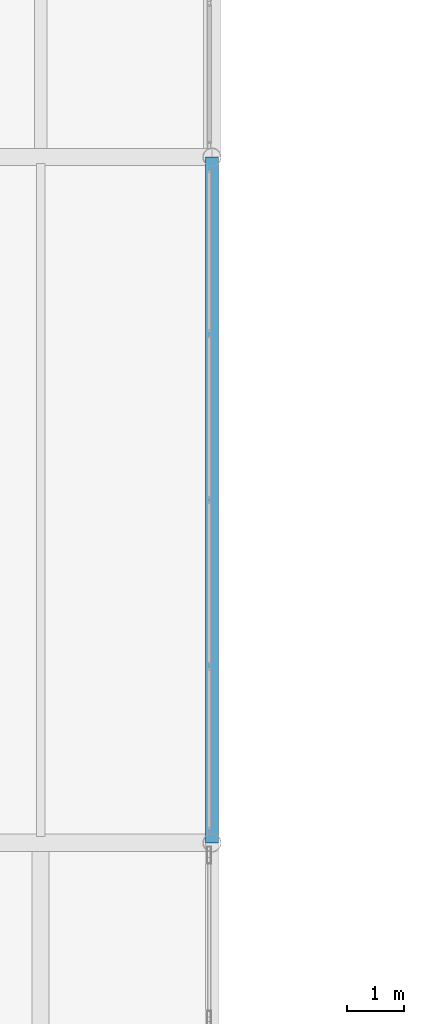
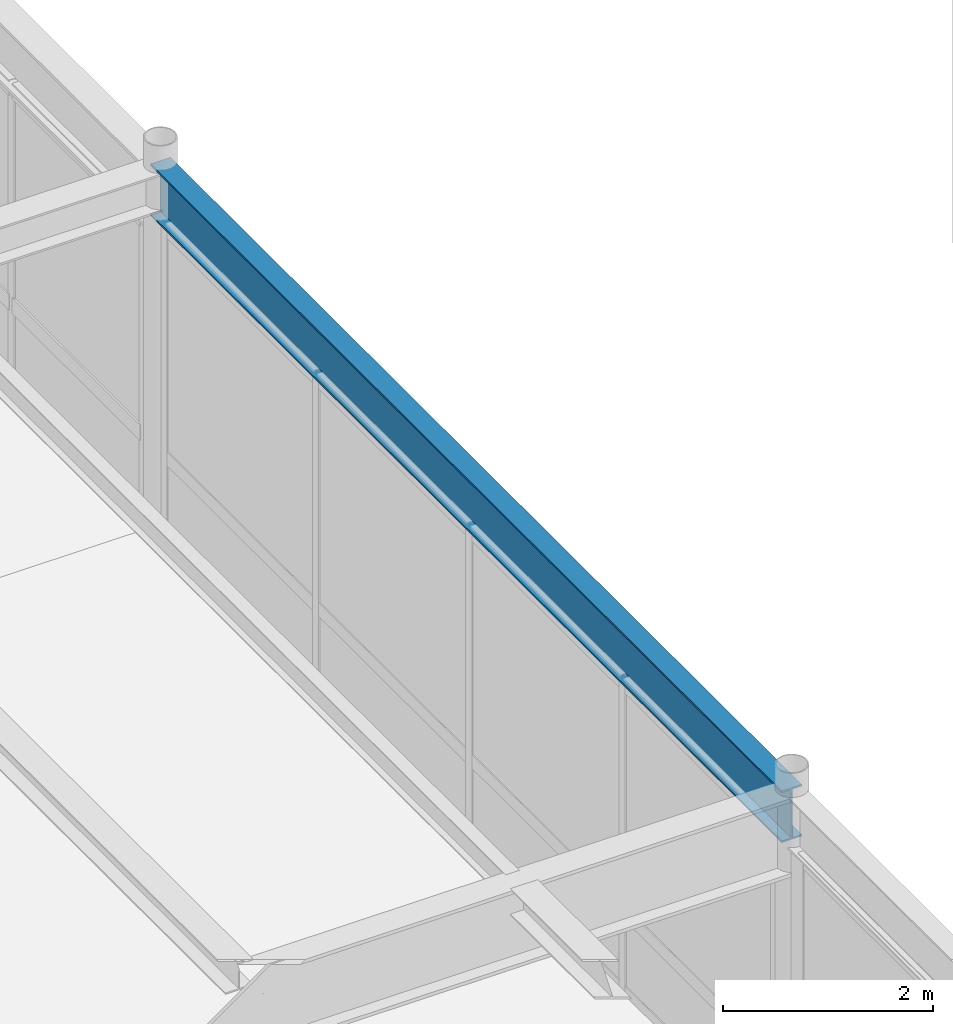
# One storey, part 66 of 127: 1 beam.
"""IFC4 building model written with IfcOpenShell, lengths in metres."""

from ifc_helpers import new_model, si_unit, direction, frame, origin, origin_2d, place, context, subcontext, project, spatial, i_section, extrude, material, material_profile, profile_set, type_object, element, save


model = new_model("IFC4")

# Units and contexts
model_context = context("Model", 3, precision=1e-05, world=origin(), true_north=direction((0.0, 1.0)))
body_context = subcontext(model_context, "Body", "Model", "MODEL_VIEW")
ifc_project = project(units=[si_unit("LENGTHUNIT", "METRE"), si_unit("AREAUNIT", "SQUARE_METRE"), si_unit("VOLUMEUNIT", "CUBIC_METRE"), si_unit("PLANEANGLEUNIT", "RADIAN"), si_unit("MASSUNIT", "GRAM", prefix="KILO")], contexts=[model_context])

# Site, building, storey
site_placement = place(None, origin())
site = spatial("IfcSite", under=ifc_project, at=site_placement, CompositionType="ELEMENT")
building_placement = place(site_placement, origin())
building = spatial("IfcBuilding", under=site, at=building_placement, Name="Montelvaro Courts of Justice", CompositionType="ELEMENT")
storey_placement = place(building_placement, frame((0.0, 0.0, 5.39990234375)))
storey = spatial("IfcBuildingStorey", under=building, at=storey_placement, Name="L01", CompositionType="ELEMENT", Elevation=5.39990234375)

# Beam
ifc_material = material(Name="Steel S355", Category="steel")
ifc_material_profile = material_profile(ifc_material, i_section(OverallWidth=0.219970703125, OverallDepth=0.60009765625, WebThickness=0.011962890625, FlangeThickness=0.01904296875, at=origin_2d()), Name="IPE 600")
ifc_profile_set = profile_set([ifc_material_profile], Name="Steel S355")
beam_type = type_object("IfcBeamType", Name="Beam_IPE600", PredefinedType="USERDEFINED", material=ifc_profile_set)
beam_placement = place(storey_placement, frame((81.0, 66.0, 3.920166015625), z_axis=(0.0, 1.0, 0.0), x_axis=(-1.0, 0.0, 0.0)))
element("IfcBeam", 1, at=beam_placement, inside=storey, type_object=beam_type, Name="Beam B-12 L01", ObjectType="GIRDER", PredefinedType="USERDEFINED", context=body_context, shape_type="SweptSolid", body=[
    extrude(i_section(OverallWidth=0.219970703125, OverallDepth=0.60009765625, WebThickness=0.011962890625, FlangeThickness=0.01904296875, at=origin_2d()), origin(), (0.0, 0.0, 1.0), 12.0),
])

save(model, "model.ifc")
